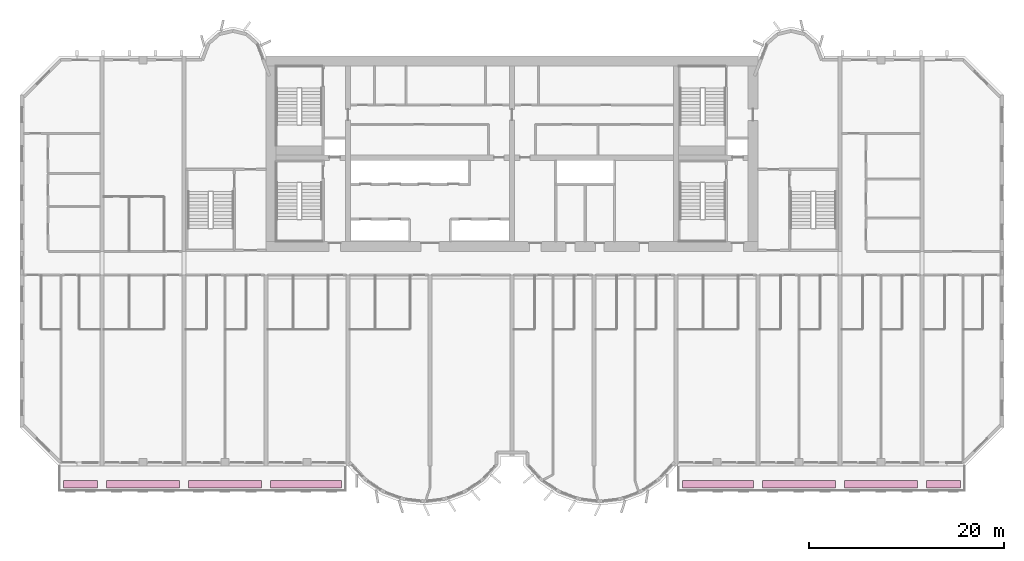
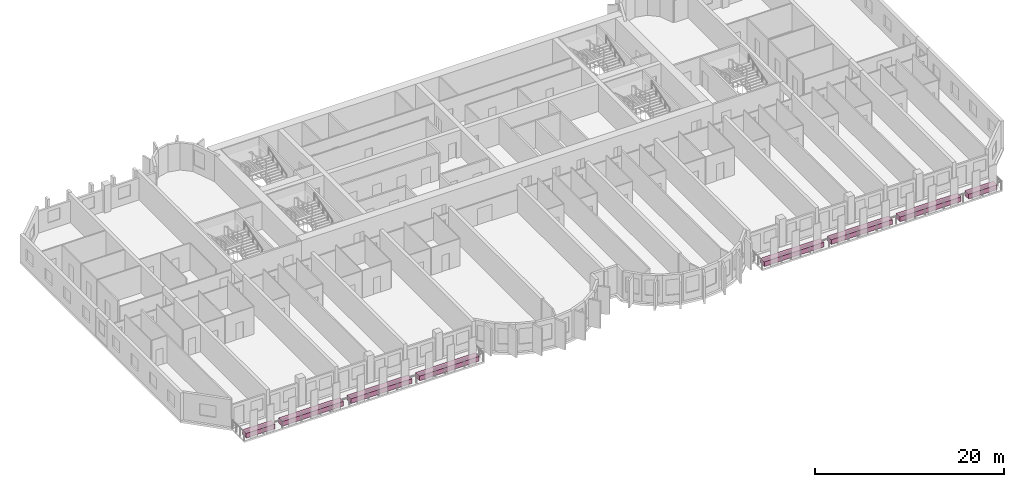
# One storey, part 14 of 14: 8 furniture elements.
"""IFC4 building model written with IfcOpenShell, lengths in metres."""

from ifc_helpers import new_model, si_unit, direction, frame, origin, origin_2d, place, context, subcontext, project, spatial, rectangle, extrude, source, transform, mapped, material, type_object, element, save


model = new_model("IFC4")

# Units and contexts
model_context = context("Model", 3, precision=1e-05, world=origin(), true_north=direction((0.0, 1.0)))
body_context = subcontext(model_context, "Body", "Model", "MODEL_VIEW")
ifc_project = project(units=[si_unit("LENGTHUNIT", "METRE"), si_unit("AREAUNIT", "SQUARE_METRE"), si_unit("VOLUMEUNIT", "CUBIC_METRE"), si_unit("PLANEANGLEUNIT", "RADIAN"), si_unit("MASSUNIT", "GRAM", prefix="KILO")], contexts=[model_context])

# Site, building, storey
site_placement = place(None, origin())
site = spatial("IfcSite", under=ifc_project, at=site_placement, CompositionType="ELEMENT")
building_placement = place(site_placement, origin())
building = spatial("IfcBuilding", under=site, at=building_placement, Name="Vanashikhar Sky Hotel", CompositionType="ELEMENT")
storey_placement = place(building_placement, frame((0.0, 0.0, 54.39990234375)))
storey = spatial("IfcBuildingStorey", under=building, at=storey_placement, Name="L12", CompositionType="ELEMENT", Elevation=54.39990234375)

# Furniture
ifc_material = material(Name="Planting soil and shrubs")
furniture_type = type_object("IfcFurnitureType", Name="Planter trough", AssemblyPlace="NOTDEFINED", PredefinedType="USERDEFINED", material=ifc_material)
shared_shape_1 = source(origin(), body_context, "Body", "SweptSolid", [
    extrude(rectangle(XDim=3.5, YDim=0.800048828125, at=origin_2d()), origin(), (0.0, 0.0, 1.0), 0.60009765625),
])
for number, where, z_axis, x_axis, name in (
    (1, (6.199951171875, -1.85009765625, -0.050048828125), (0.0, 0.0, 1.0), (1.0, 0.0, 0.0), "PLANTER with climbers"),
    (2, (94.60009765625, -1.85009765625, -0.050048828125), (0.0, 0.0, 1.0), (1.0, 0.0, 0.0), "PLANTER with climbers"),
):
    element("IfcFurniture", number, at=place(storey_placement, frame(where, z_axis=z_axis, x_axis=x_axis)), inside=storey, type_object=furniture_type, Name=name, ObjectType="PLANTER", PredefinedType="USERDEFINED", context=body_context, shape_type="MappedRepresentation", body=[
        mapped(shared_shape_1, transform((0.0, 0.0, 0.0), scale=1.0)),
    ])
shared_shape_2 = source(origin(), body_context, "Body", "SweptSolid", [
    extrude(rectangle(XDim=7.5, YDim=0.800048828125, at=origin_2d()), origin(), (0.0, 0.0, 1.0), 0.60009765625),
])
for number, where, z_axis, x_axis, name in (
    (3, (12.60009765625, -1.85009765625, -0.050048828125), (0.0, 0.0, 1.0), (1.0, 0.0, 0.0), "PLANTER with climbers"),
    (4, (21.0, -1.85009765625, -0.050048828125), (0.0, 0.0, 1.0), (1.0, 0.0, 0.0), "PLANTER with climbers"),
    (5, (79.800048828125, -1.85009765625, -0.050048828125), (0.0, 0.0, 1.0), (1.0, 0.0, 0.0), "PLANTER with climbers"),
    (6, (88.199951171875, -1.85009765625, -0.050048828125), (0.0, 0.0, 1.0), (1.0, 0.0, 0.0), "PLANTER with climbers"),
):
    element("IfcFurniture", number, at=place(storey_placement, frame(where, z_axis=z_axis, x_axis=x_axis)), inside=storey, type_object=furniture_type, Name=name, ObjectType="PLANTER", PredefinedType="USERDEFINED", context=body_context, shape_type="MappedRepresentation", body=[
        mapped(shared_shape_2, transform((0.0, 0.0, 0.0), scale=1.0)),
    ])
shared_shape_3 = source(origin(), body_context, "Body", "SweptSolid", [
    extrude(rectangle(XDim=7.300048828125, YDim=0.800048828125, at=origin_2d()), origin(), (0.0, 0.0, 1.0), 0.60009765625),
])
for number, where, z_axis, x_axis, name in (
    (7, (29.300048828125, -1.85009765625, -0.050048828125), (0.0, 0.0, 1.0), (1.0, 0.0, 0.0), "PLANTER with climbers"),
    (8, (71.5, -1.85009765625, -0.050048828125), (0.0, 0.0, 1.0), (1.0, 0.0, 0.0), "PLANTER with climbers"),
):
    element("IfcFurniture", number, at=place(storey_placement, frame(where, z_axis=z_axis, x_axis=x_axis)), inside=storey, type_object=furniture_type, Name=name, ObjectType="PLANTER", PredefinedType="USERDEFINED", context=body_context, shape_type="MappedRepresentation", body=[
        mapped(shared_shape_3, transform((0.0, 0.0, 0.0), scale=1.0)),
    ])

save(model, "model.ifc")
